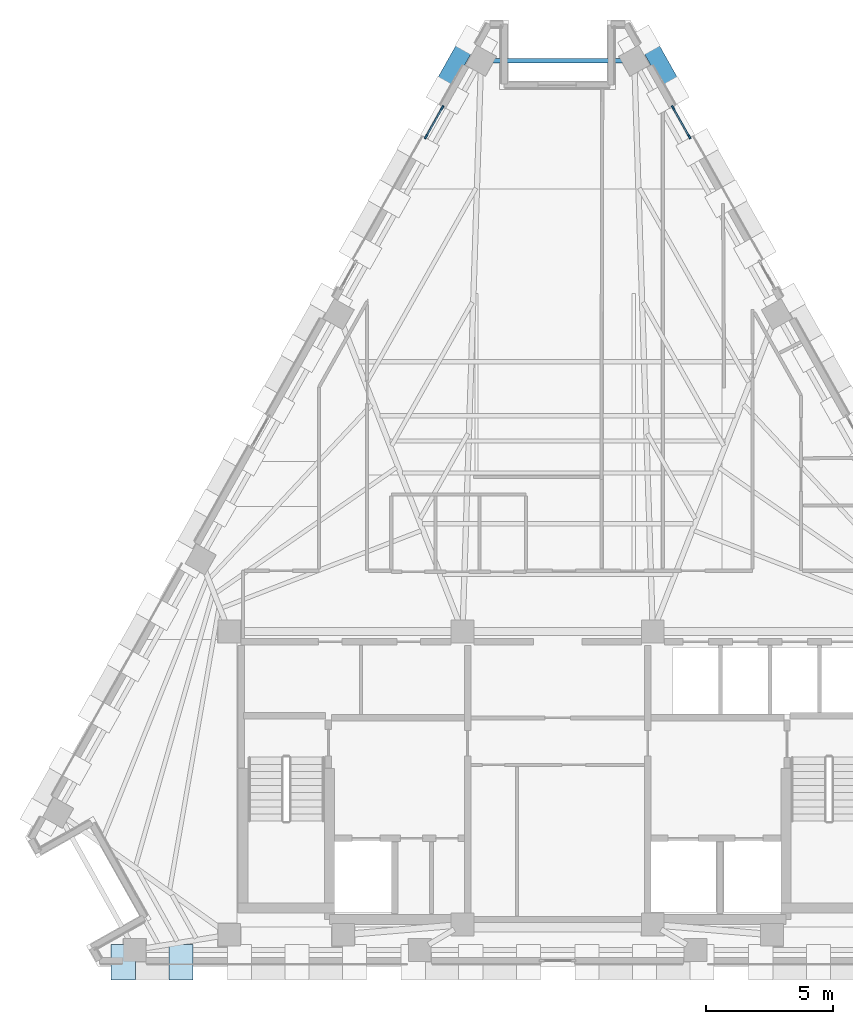
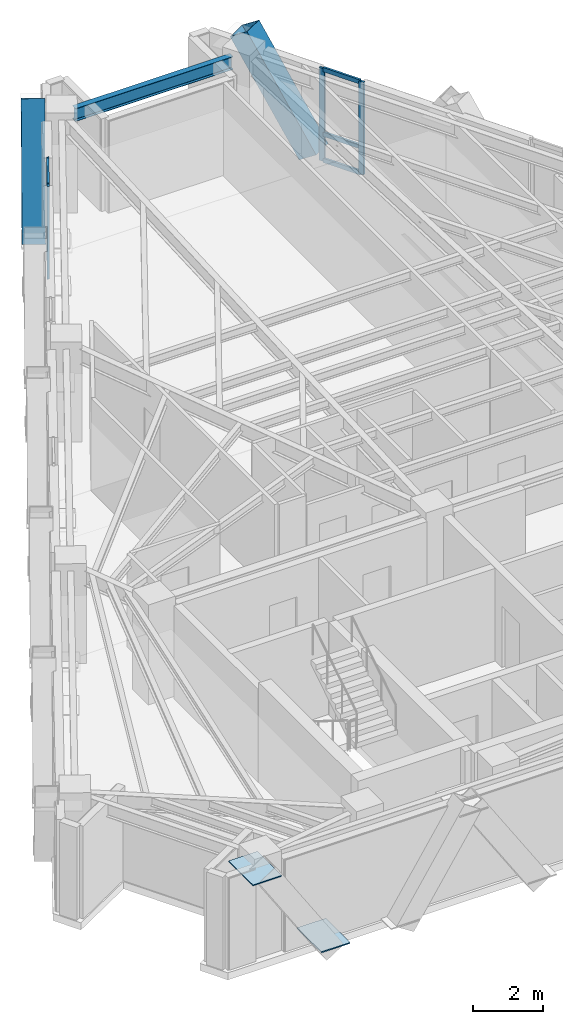
# One storey, part 5 of 13: 12 members, 2 plates, 1 beam, 2 elements without a shape of their own.
"""IFC4 building model written with IfcOpenShell, lengths in metres."""

from ifc_helpers import new_model, si_unit, direction, frame, origin, origin_2d, place, context, subcontext, project, spatial, rectangle, hollow_rectangle, i_section, extrude, material, layer, layer_set, material_profile, profile_set, type_object, element, aggregate, save


model = new_model("IFC4")

# Units and contexts
model_context = context("Model", 3, precision=1e-05, world=origin(), true_north=direction((0.0, 1.0)))
body_context = subcontext(model_context, "Body", "Model", "MODEL_VIEW")
ifc_project = project(units=[si_unit("LENGTHUNIT", "METRE"), si_unit("AREAUNIT", "SQUARE_METRE"), si_unit("VOLUMEUNIT", "CUBIC_METRE"), si_unit("PLANEANGLEUNIT", "RADIAN"), si_unit("MASSUNIT", "GRAM", prefix="KILO")], contexts=[model_context])

# Site, building, storey
site_placement = place(None, origin())
site = spatial("IfcSite", under=ifc_project, at=site_placement, CompositionType="ELEMENT")
building_placement = place(site_placement, origin())
building = spatial("IfcBuilding", under=site, at=building_placement, Name="Quenlor Broadcast Tower", CompositionType="ELEMENT")
storey_placement = place(building_placement, frame((0.0, 0.0, 207.89990234375)))
storey = spatial("IfcBuildingStorey", under=building, at=storey_placement, Name="L57", CompositionType="ELEMENT", Elevation=207.89990234375)

# Curtain wall, members
ifc_material_1 = material(Name="Architectural Terracotta and Low-E Glazing", Category="masonry")
curtain_wall_type = type_object("IfcCurtainWallType", Name="Unitised Terracotta Curtain Wall System Z4", PredefinedType="NOTDEFINED", material=ifc_material_1)
curtain_wall_1_placement = place(storey_placement, origin())
curtain_wall_1 = element("IfcCurtainWall", 1, at=curtain_wall_1_placement, inside=storey, type_object=curtain_wall_type, Name="L57 Curtain Wall CW4 (L57-NEA-G1)", PredefinedType="NOTDEFINED")
ifc_material_2 = material(Name="Aluminium 6063-T6", Category="aluminium")
ifc_material_profile_1 = material_profile(ifc_material_2, rectangle(XDim=0.068115234375, YDim=0.179931640625, at=origin_2d()))
ifc_profile_set_1 = profile_set([ifc_material_profile_1], Name="Aluminium 6063-T6 MULL68x180")
member_type_1 = type_object("IfcMemberType", Name="CW4 Aluminium Mullion MULL_CW4", PredefinedType="MULLION", material=ifc_profile_set_1)
member_1_placement = place(storey_placement, frame((4.550048828125, 15.85205078125, 0.0), z_axis=(0.0, 0.0, 1.0), x_axis=(0.871560008943, 0.490288844266, 0.0)))
member_1 = element("IfcMember", 2, at=member_1_placement, type_object=member_type_1, Name="CW4 mullion 1", PredefinedType="MULLION", context=body_context, shape_type="SweptSolid", body=[
    extrude(rectangle(XDim=0.068115234375, YDim=0.179931640625, at=origin_2d()), origin(), (0.0, 0.0, 1.0), 3.25),
])
member_2_placement = place(storey_placement, frame((5.19140625, 14.7119140625, 0.0), z_axis=(0.0, 0.0, 1.0), x_axis=(0.871560008943, 0.490288844266, 0.0)))
member_2 = element("IfcMember", 3, at=member_2_placement, type_object=member_type_1, Name="CW4 mullion 2", PredefinedType="MULLION", context=body_context, shape_type="SweptSolid", body=[
    extrude(rectangle(XDim=0.068115234375, YDim=0.179931640625, at=origin_2d()), origin(), (0.0, 0.0, 1.0), 3.25),
])

curtain_wall_2_placement = place(storey_placement, origin())
curtain_wall_2 = element("IfcCurtainWall", 4, at=curtain_wall_2_placement, inside=storey, type_object=curtain_wall_type, Name="L57 Curtain Wall CW4 (L57-NWC-G2)", PredefinedType="NOTDEFINED")
member_3_placement = place(storey_placement, frame((-5.19140625, 14.7119140625, 0.0), z_axis=(0.0, 0.0, 1.0), x_axis=(-0.871560008943, 0.490288844266, 0.0)))
member_3 = element("IfcMember", 5, at=member_3_placement, type_object=member_type_1, Name="CW4 mullion 1", PredefinedType="MULLION", context=body_context, shape_type="SweptSolid", body=[
    extrude(rectangle(XDim=0.068115234375, YDim=0.179931640625, at=origin_2d()), origin(), (0.0, 0.0, 1.0), 3.25),
])
member_4_placement = place(storey_placement, frame((-4.550048828125, 15.85205078125, 0.0), z_axis=(0.0, 0.0, 1.0), x_axis=(-0.871560008943, 0.490288844266, 0.0)))
member_4 = element("IfcMember", 6, at=member_4_placement, type_object=member_type_1, Name="CW4 mullion 2", PredefinedType="MULLION", context=body_context, shape_type="SweptSolid", body=[
    extrude(rectangle(XDim=0.068115234375, YDim=0.179931640625, at=origin_2d()), origin(), (0.0, 0.0, 1.0), 3.25),
])

# Member
ifc_material_3 = material(Name="Aluminium 6063-T6", Category="aluminium")
ifc_material_profile_2 = material_profile(ifc_material_3, rectangle(XDim=0.068115234375, YDim=0.14990234375, at=origin_2d()))
ifc_profile_set_2 = profile_set([ifc_material_profile_2], Name="Aluminium 6063-T6 TRAN68x150")
member_type_2 = type_object("IfcMemberType", Name="CW4 Aluminium Transom TRAN_CW4", PredefinedType="USERDEFINED", material=ifc_profile_set_2)
member_5_placement = place(storey_placement, frame((4.566650390625, 15.822265625, 0.0341796875), z_axis=(0.490317332982, -0.871543982239, 0.0), x_axis=(0.871543982239, 0.490317332982, 0.0)))
member_5 = element("IfcMember", 7, at=member_5_placement, type_object=member_type_2, Name="CW4 transom 1.1", ObjectType="TRANSOM", PredefinedType="USERDEFINED", context=body_context, shape_type="SweptSolid", body=[
    extrude(rectangle(XDim=0.068115234375, YDim=0.14990234375, at=origin_2d()), origin(), (0.0, 0.0, 1.0), 1.23974609375),
])

member_6_placement = place(storey_placement, frame((4.566650390625, 15.822265625, 0.9501953125), z_axis=(0.490317332982, -0.871543982239, 0.0), x_axis=(0.871543982239, 0.490317332982, 0.0)))
member_6 = element("IfcMember", 8, at=member_6_placement, type_object=member_type_2, Name="CW4 transom 1.2", ObjectType="TRANSOM", PredefinedType="USERDEFINED", context=body_context, shape_type="SweptSolid", body=[
    extrude(rectangle(XDim=0.068115234375, YDim=0.14990234375, at=origin_2d()), origin(), (0.0, 0.0, 1.0), 1.23974609375),
])

member_7_placement = place(storey_placement, frame((4.566650390625, 15.822265625, 3.216064453125), z_axis=(0.490317332982, -0.871543982239, 0.0), x_axis=(0.871543982239, 0.490317332982, 0.0)))
member_7 = element("IfcMember", 9, at=member_7_placement, type_object=member_type_2, Name="CW4 transom 1.3", ObjectType="TRANSOM", PredefinedType="USERDEFINED", context=body_context, shape_type="SweptSolid", body=[
    extrude(rectangle(XDim=0.068115234375, YDim=0.14990234375, at=origin_2d()), origin(), (0.0, 0.0, 1.0), 1.23974609375),
])

aggregate(curtain_wall_1, [member_1, member_2, member_5, member_6, member_7])

member_8_placement = place(storey_placement, frame((-5.174560546875, 14.74169921875, 0.0341796875), z_axis=(0.490317332982, 0.871543982239, 0.0), x_axis=(-0.871543982239, 0.490317332982, 0.0)))
member_8 = element("IfcMember", 10, at=member_8_placement, type_object=member_type_2, Name="CW4 transom 1.1", ObjectType="TRANSOM", PredefinedType="USERDEFINED", context=body_context, shape_type="SweptSolid", body=[
    extrude(rectangle(XDim=0.068115234375, YDim=0.14990234375, at=origin_2d()), origin(), (0.0, 0.0, 1.0), 1.23974609375),
])

member_9_placement = place(storey_placement, frame((-5.174560546875, 14.74169921875, 0.9501953125), z_axis=(0.490317332982, 0.871543982239, 0.0), x_axis=(-0.871543982239, 0.490317332982, 0.0)))
member_9 = element("IfcMember", 11, at=member_9_placement, type_object=member_type_2, Name="CW4 transom 1.2", ObjectType="TRANSOM", PredefinedType="USERDEFINED", context=body_context, shape_type="SweptSolid", body=[
    extrude(rectangle(XDim=0.068115234375, YDim=0.14990234375, at=origin_2d()), origin(), (0.0, 0.0, 1.0), 1.23974609375),
])

member_10_placement = place(storey_placement, frame((-5.174560546875, 14.74169921875, 3.216064453125), z_axis=(0.490317332982, 0.871543982239, 0.0), x_axis=(-0.871543982239, 0.490317332982, 0.0)))
member_10 = element("IfcMember", 12, at=member_10_placement, type_object=member_type_2, Name="CW4 transom 1.3", ObjectType="TRANSOM", PredefinedType="USERDEFINED", context=body_context, shape_type="SweptSolid", body=[
    extrude(rectangle(XDim=0.068115234375, YDim=0.14990234375, at=origin_2d()), origin(), (0.0, 0.0, 1.0), 1.23974609375),
])

aggregate(curtain_wall_2, [member_3, member_4, member_8, member_9, member_10])

# Members
ifc_material_4 = material(Name="Steel S355", Category="steel")
ifc_material_profile_3 = material_profile(ifc_material_4, hollow_rectangle(XDim=0.679931640625, YDim=0.679931640625, WallThickness=0.02490234375, at=origin_2d()))
ifc_profile_set_3 = profile_set([ifc_material_profile_3], Name="Steel S355 RHS680x680x25")
member_type_3 = type_object("IfcMemberType", Name="Perimeter Diagonal Lattice Brace Z3-Z4 Steel S355 RHS680x25", PredefinedType="BRACE", material=ifc_profile_set_3)
for number, where, z_axis, x_axis, name in (
    (13, (4.63671875, 16.50390625, -0.119873046875), (-0.269539530269, 0.479181387144, 0.835304519224), (-0.871575537125, -0.490261239633, 0.0), "L57 Perimeter Diamond Lattice NE-C1B"),
    (14, (-4.63671875, 16.50390625, -0.119873046875), (0.269539530269, 0.479181387144, 0.835304519224), (-0.871575537125, 0.490261239633, 0.0), "L57 Perimeter Diamond Lattice NW-C5S"),
):
    element("IfcMember", number, at=place(storey_placement, frame(where, z_axis=z_axis, x_axis=x_axis)), inside=storey, type_object=member_type_3, Name=name, PredefinedType="BRACE", context=body_context, shape_type="SweptSolid", body=[
        extrude(hollow_rectangle(XDim=0.679931640625, YDim=0.679931640625, WallThickness=0.02490234375, at=origin_2d()), origin(), (0.0, 0.0, 1.0), 4.190185546875),
    ])

# Beam
ifc_material_5 = material(Name="Steel S355", Category="steel")
ifc_material_profile_4 = material_profile(ifc_material_5, i_section(OverallWidth=0.18994140625, OverallDepth=0.453857421875, WebThickness=0.008544921875, FlangeThickness=0.0126953125, FilletRadius=0.011474609375, at=origin_2d()))
ifc_profile_set_4 = profile_set([ifc_material_profile_4], Name="Steel S355 460UB67.1")
beam_type = type_object("IfcBeamType", Name="Perimeter Spandrel Beam Z4 Steel S355 460UB67.1", PredefinedType="SPANDREL", material=ifc_profile_set_4)
beam_placement = place(storey_placement, frame((2.610595703125, 17.704345703125, 3.023193359375), z_axis=(-1.0, 0.0, 0.0), x_axis=(0.0, -1.0, 0.0)))
element("IfcBeam", 15, at=beam_placement, inside=storey, type_object=beam_type, Name="L57 Spandrel Beam NE4-NW1", PredefinedType="SPANDREL", context=body_context, shape_type="SweptSolid", body=[
    extrude(i_section(OverallWidth=0.18994140625, OverallDepth=0.453857421875, WebThickness=0.008544921875, FlangeThickness=0.0126953125, FilletRadius=0.011474609375, at=origin_2d()), origin(), (0.0, 0.0, 1.0), 5.22119140625),
])

# Plates
ifc_material_6 = material(Name="Steel S355", Category="steel")
ifc_layer = layer(ifc_material_6, 0.035888671875)
ifc_layer_set = layer_set([ifc_layer], Name="Transfer Truss Steel S355 Gusset Node Plate 1400x950x36")
plate_type = type_object("IfcPlateType", Name="Transfer Truss Steel S355 Gusset Node Plate 1400x950x36", PredefinedType="SHEET", material=ifc_layer_set)
for number, where, z_axis, x_axis, name in (
    (16, (-14.856201171875, -17.8349609375, 0.0419921875), (0.0, 0.0, 1.0), (0.0, -1.0, 0.0), "L57 Lattice Tie Gusset Node S-B14"),
    (17, (-17.1259765625, -17.8349609375, 3.18212890625), (0.0, 0.0, 1.0), (0.0, -1.0, 0.0), "L57 Lattice Tie Gusset Node S-T15"),
):
    element("IfcPlate", number, at=place(storey_placement, frame(where, z_axis=z_axis, x_axis=x_axis)), inside=storey, type_object=plate_type, Name=name, PredefinedType="SHEET", context=body_context, shape_type="SweptSolid", body=[
        extrude(rectangle(XDim=1.39990234375, YDim=0.949951171875, at=origin_2d()), origin(), (0.0, 0.0, 1.0), 0.035888671875),
    ])

save(model, "model.ifc")
